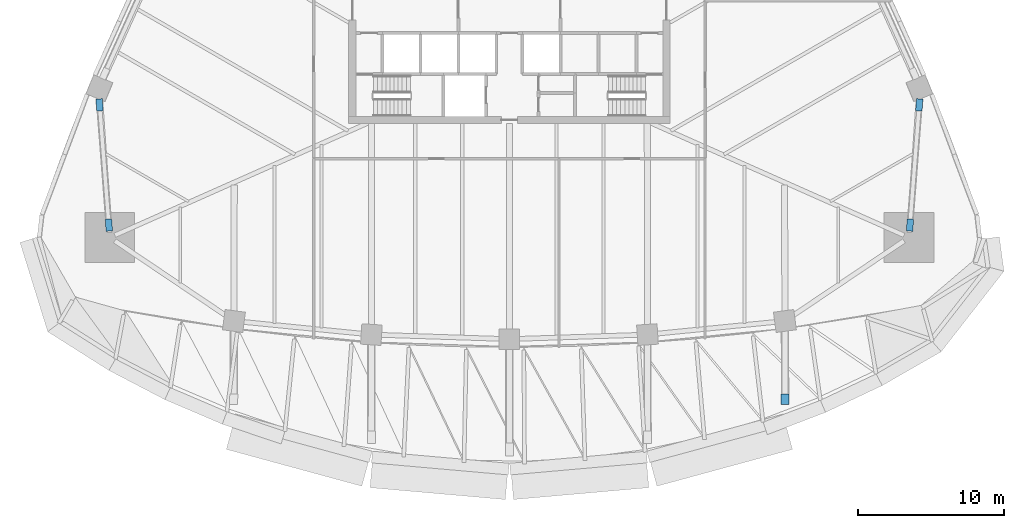
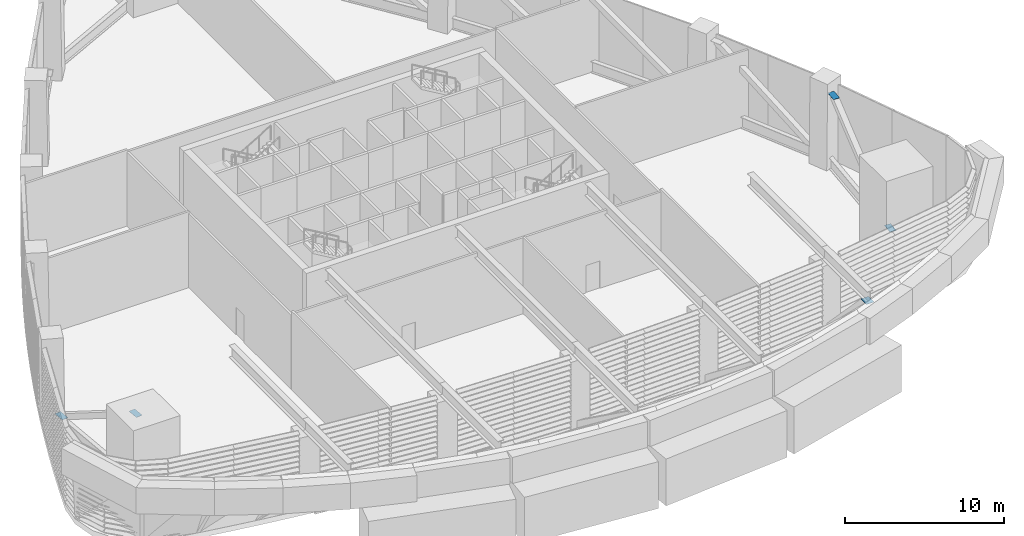
# One storey, part 7 of 15: 5 discrete accessories.
"""IFC4 building model written with IfcOpenShell, lengths in metres."""

from ifc_helpers import new_model, si_unit, direction, frame, origin, origin_2d, place, context, subcontext, project, spatial, rectangle, extrude, material, type_object, element, save


model = new_model("IFC4")

# Units and contexts
model_context = context("Model", 3, precision=1e-05, world=origin(), true_north=direction((0.0, 1.0)))
body_context = subcontext(model_context, "Body", "Model", "MODEL_VIEW")
ifc_project = project(units=[si_unit("LENGTHUNIT", "METRE"), si_unit("AREAUNIT", "SQUARE_METRE"), si_unit("VOLUMEUNIT", "CUBIC_METRE"), si_unit("PLANEANGLEUNIT", "RADIAN"), si_unit("MASSUNIT", "GRAM", prefix="KILO")], contexts=[model_context])

# Site, building, storey
site_placement = place(None, origin())
site = spatial("IfcSite", under=ifc_project, at=site_placement, CompositionType="ELEMENT")
building_placement = place(site_placement, origin())
building = spatial("IfcBuilding", under=site, at=building_placement, Name="Sierra Prisma Convention Tower", CompositionType="ELEMENT")
storey_placement = place(building_placement, frame((0.0, 0.0, 34.199951171875)))
storey = spatial("IfcBuildingStorey", under=building, at=storey_placement, Name="L05", CompositionType="ELEMENT", Elevation=34.199951171875)

# Discrete accessories
ifc_material = material(Name="Steel ASTM A992 Gr 50", Category="steel")
discrete_accessory_type = type_object("IfcDiscreteAccessoryType", Name="Truss end plate", PredefinedType="BRACKET", material=ifc_material)
discrete_accessory_placement = place(storey_placement, frame((18.872314453125, -26.866455078125, 5.50830078125), z_axis=(0.0, 0.0, 1.0), x_axis=(-0.002295105951, 0.999997366241, 0.0)))
element("IfcDiscreteAccessory", 1, at=discrete_accessory_placement, inside=storey, type_object=discrete_accessory_type, Name="Cantilever truss S-5 lower member head end plate", PredefinedType="BRACKET", context=body_context, shape_type="SweptSolid", body=[
    extrude(rectangle(XDim=0.720947265625, YDim=0.548095703125, at=origin_2d()), origin(), (0.0, 0.0, 1.0), 0.014892578125),
])
for number, where, z_axis, x_axis, name in (
    (2, (27.4208984375, -14.94189453125, 0.85888671875), (0.0, 0.0, 1.0), (0.07720105048, 0.997015545418, 0.0), "Belt truss L05-07 diagonal 1 foot end plate"),
    (3, (28.05810546875, -6.71533203125, 5.8193359375), (0.0, 0.0, 1.0), (0.07720105048, 0.997015545418, 0.0), "Belt truss L05-07 diagonal 1 head end plate"),
    (4, (-28.05810546875, -6.71533203125, 0.85888671875), (0.0, 0.0, 1.0), (0.07720105048, -0.997015545418, 0.0), "Belt truss L05-18 diagonal 1 foot end plate"),
    (5, (-27.4208984375, -14.94189453125, 5.8193359375), (0.0, 0.0, 1.0), (0.07720105048, -0.997015545418, 0.0), "Belt truss L05-18 diagonal 1 head end plate"),
):
    element("IfcDiscreteAccessory", number, at=place(storey_placement, frame(where, z_axis=z_axis, x_axis=x_axis)), inside=storey, type_object=discrete_accessory_type, Name=name, PredefinedType="BRACKET", context=body_context, shape_type="SweptSolid", body=[
        extrude(rectangle(XDim=0.825927734375, YDim=0.446044921875, at=origin_2d()), origin(), (0.0, 0.0, 1.0), 0.014892578125),
    ])

save(model, "model.ifc")
